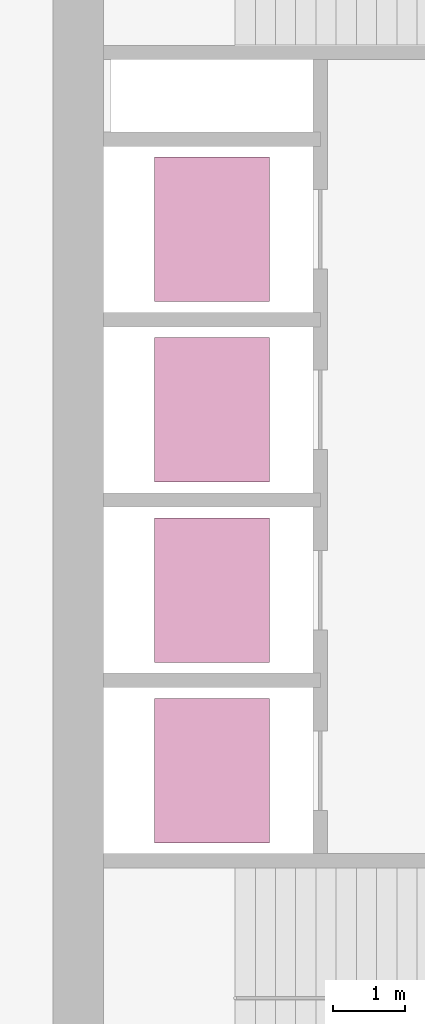
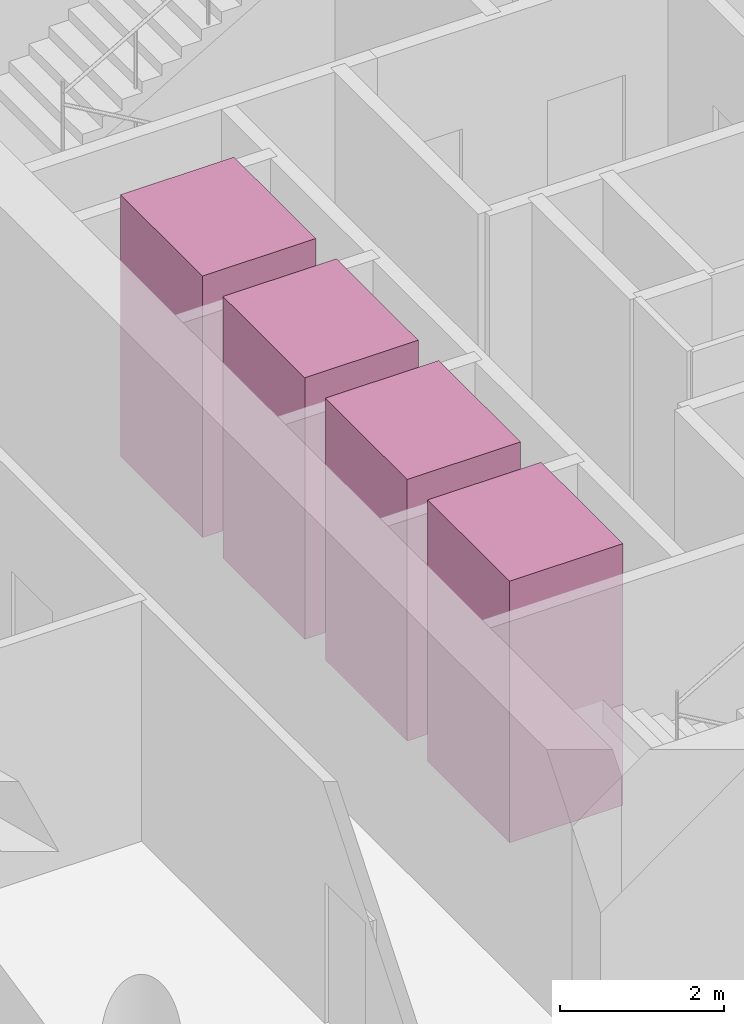
# One storey, part 9 of 9: 4 transport elements.
"""IFC4 building model written with IfcOpenShell, lengths in metres."""

import ifcopenshell
import ifcopenshell.guid

model = None  # the IFC model being written
_history = None  # IfcOwnerHistory: only IFC2X3 demands one
_inside = {}  # id of a spatial element -> (the spatial element, [elements in it])
_under = {}  # id of a project, library or spatial element -> (it, [spatial elements below it])
_declared = {}  # id of a project -> (the project, [libraries it declares])
_typed = {}  # id of a type object -> (the type object, [elements of that type])
_made_of = {}  # id of a material, layer set ... -> (it, [elements and type objects made of it])


def new_model(schema):
    """Start an empty IFC model of exactly this schema.

    Asked for "IFC4X3", IfcOpenShell would pick the latest addendum, in which some entities
    have other attributes; the version numbers below select the first issue.
    IFC2X3 requires an IfcOwnerHistory on every rooted entity: one is made here for all.
    """
    global model, _history
    if schema == "IFC4X3":
        model = ifcopenshell.file(schema_version=(4, 3, 0, 0))
    else:
        model = ifcopenshell.file(schema=schema)
    _inside.clear()
    _under.clear()
    _declared.clear()
    _typed.clear()
    _made_of.clear()
    _history = None
    if model.schema == "IFC2X3":
        org = make("IfcOrganization", Name="unknown")
        user = make(
            "IfcPersonAndOrganization",
            ThePerson=make("IfcPerson", FamilyName="unknown"),
            TheOrganization=org,
        )
        app = make(
            "IfcApplication",
            ApplicationDeveloper=org,
            Version="unknown",
            ApplicationFullName="unknown",
            ApplicationIdentifier="unknown",
        )
        _history = make(
            "IfcOwnerHistory",
            OwningUser=user,
            OwningApplication=app,
            ChangeAction="ADDED",
            CreationDate=0,
        )
    return model


def make(cls, **values):
    """One entity of the class cls with the attributes given. An attribute that is None is left unset."""
    return model.create_entity(
        cls, **{name: value for name, value in values.items() if value is not None}
    )


def rooted(cls, **values):
    """An entity with a GlobalId (a new one), such as an element, a storey or a relation."""
    return make(cls, GlobalId=ifcopenshell.guid.new(), OwnerHistory=_history, **values)


def si_unit(unit_type, name, prefix=None):
    """IfcSIUnit, for example si_unit("LENGTHUNIT", "METRE", prefix="MILLI")."""
    return make("IfcSIUnit", UnitType=unit_type, Prefix=prefix, Name=name)


def assignment(units):
    """IfcUnitAssignment: the units of a project."""
    return None if units is None else make("IfcUnitAssignment", Units=units)


def point(xyz):
    """IfcCartesianPoint."""
    return None if xyz is None else make("IfcCartesianPoint", Coordinates=xyz)


def direction(xyz):
    """IfcDirection."""
    return None if xyz is None else make("IfcDirection", DirectionRatios=xyz)


def frame(location, z_axis=None, x_axis=None):
    """IfcAxis2Placement3D, a coordinate frame: its origin and axes. An axis left out is left unset."""
    return make(
        "IfcAxis2Placement3D",
        Location=point(location),
        Axis=direction(z_axis),
        RefDirection=direction(x_axis),
    )


def frame_2d(location, x_axis=None):
    """IfcAxis2Placement2D, a coordinate frame in the plane: its origin and x axis."""
    return make(
        "IfcAxis2Placement2D", Location=point(location), RefDirection=direction(x_axis)
    )


def origin():
    """The frame at (0, 0, 0) with its axes left unset."""
    return frame((0.0, 0.0, 0.0))


def origin_2d():
    """The frame at (0, 0) in the plane with its x axis left unset."""
    return frame_2d((0.0, 0.0))


def place(relative_to, where):
    """IfcLocalPlacement: puts the frame where relative to a parent placement (None: the world)."""
    return make(
        "IfcLocalPlacement", PlacementRelTo=relative_to, RelativePlacement=where
    )


def context(
    kind, dimensions, precision=None, world=None, true_north=None, identifier=None
):
    """IfcGeometricRepresentationContext, for example the 3D "Model" context."""
    return make(
        "IfcGeometricRepresentationContext",
        ContextIdentifier=identifier,
        ContextType=kind,
        CoordinateSpaceDimension=dimensions,
        Precision=precision,
        WorldCoordinateSystem=world,
        TrueNorth=true_north,
    )


def subcontext(parent, identifier, kind, view, scale=None):
    """IfcGeometricRepresentationSubContext, for example "Body" below "Model"."""
    return make(
        "IfcGeometricRepresentationSubContext",
        ContextIdentifier=identifier,
        ContextType=kind,
        ParentContext=parent,
        TargetScale=scale,
        TargetView=view,
    )


def project(units=None, contexts=None):
    """IfcProject with its units and contexts."""
    return rooted(
        "IfcProject",
        Name="project",
        RepresentationContexts=contexts,
        UnitsInContext=assignment(units),
    )


def spatial(cls, under=None, at=None, **own):
    """A site, building, storey or space (cls), placed at a placement, below another one or the project."""
    s = rooted(cls, ObjectPlacement=at, **own)
    if under is not None:
        _under.setdefault(under.id(), (under, []))[1].append(s)
    return s


def profile(cls, at=None, kind="AREA", **sizes):
    """A parametric profile (cls). Its sizes go by their IFC names, for example OverallWidth=200.0."""
    return make(cls, ProfileType=kind, Position=at, **sizes)


def rectangle(**sizes):
    """IfcRectangleProfileDef."""
    return profile("IfcRectangleProfileDef", **sizes)


def extrude(swept, where, along, depth):
    """IfcExtrudedAreaSolid: the profile swept, set in the frame where, extruded along a direction by depth."""
    return make(
        "IfcExtrudedAreaSolid",
        SweptArea=swept,
        Position=where,
        ExtrudedDirection=direction(along),
        Depth=depth,
    )


def shape(context_of_items, identifier, shape_type, items):
    """IfcShapeRepresentation: the items that make up one representation, for example the "Body"."""
    return make(
        "IfcShapeRepresentation",
        ContextOfItems=context_of_items,
        RepresentationIdentifier=identifier,
        RepresentationType=shape_type,
        Items=items,
    )


def material(Name=None, Category=None):
    """IfcMaterial."""
    return make("IfcMaterial", Name=Name, Category=Category)


def made_of(thing, what):
    """Note that an element or type object is made of a material, layer set ...; save() writes the relation."""
    if what is not None:
        _made_of.setdefault(what.id(), (what, []))[1].append(thing)
    return thing


def type_object(cls, material=None, **own):
    """A type object (cls), such as IfcWallType, which elements share."""
    return made_of(rooted(cls, **own), material)


def element(
    cls,
    number,
    at=None,
    inside=None,
    cuts=None,
    type_object=None,
    material=None,
    context=None,
    identifier="Body",
    shape_type=None,
    held_by="IfcProductDefinitionShape",
    body=None,
    shapes=None,
    **own,
):
    """One element of the class cls, such as IfcWall. Its Tag is "e" and its number.

    at: its placement. inside: the storey or other place that contains it. cuts: it is an
    opening in that element (IfcRelVoidsElement). A single representation is given by context,
    identifier, shape_type and body (its items); several are given by shapes. held_by: the class
    of the entity that holds the representations. save() writes the other relations.
    """
    e = rooted(cls, Tag="e%d" % number, ObjectPlacement=at, **own)
    if body is not None:
        shapes = [shape(context, identifier, shape_type, body)]
    if shapes is not None:
        e.Representation = make(held_by, Representations=shapes)
    if inside is not None:
        _inside.setdefault(inside.id(), (inside, []))[1].append(e)
    if cuts is not None:
        rooted(
            "IfcRelVoidsElement", RelatingBuildingElement=cuts, RelatedOpeningElement=e
        )
    if type_object is not None:
        _typed.setdefault(type_object.id(), (type_object, []))[1].append(e)
    return made_of(e, material)


def aggregate(whole, parts):
    """IfcRelAggregates: a whole, such as a stair, and the parts it consists of."""
    return rooted("IfcRelAggregates", RelatingObject=whole, RelatedObjects=parts)


def save(model, path):
    """Write the relations noted so far, then the file.

    IfcRelAggregates (storeys below a building ...), IfcRelContainedInSpatialStructure (elements
    in a storey), IfcRelDefinesByType, IfcRelAssociatesMaterial and IfcRelDeclares: one each for
    every whole, place, type object, material and project.
    """
    for whole, parts in _under.values():
        aggregate(whole, parts)
    for where, things in _inside.values():
        rooted(
            "IfcRelContainedInSpatialStructure",
            RelatedElements=things,
            RelatingStructure=where,
        )
    for kind, things in _typed.values():
        rooted("IfcRelDefinesByType", RelatedObjects=things, RelatingType=kind)
    for what, things in _made_of.values():
        rooted("IfcRelAssociatesMaterial", RelatedObjects=things, RelatingMaterial=what)
    for by, libraries in _declared.values():
        rooted("IfcRelDeclares", RelatingContext=by, RelatedDefinitions=libraries)
    model.write(path)


model = new_model("IFC4")

# Units and contexts
model_context = context("Model", 3, precision=1e-05, world=origin(), true_north=direction((0.0, 1.0)))
body_context = subcontext(model_context, "Body", "Model", "MODEL_VIEW")
ifc_project = project(units=[si_unit("LENGTHUNIT", "METRE"), si_unit("AREAUNIT", "SQUARE_METRE"), si_unit("VOLUMEUNIT", "CUBIC_METRE"), si_unit("PLANEANGLEUNIT", "RADIAN"), si_unit("MASSUNIT", "GRAM", prefix="KILO")], contexts=[model_context])

# Site, building, storey
site_placement = place(None, origin())
site = spatial("IfcSite", under=ifc_project, at=site_placement, CompositionType="ELEMENT")
building_placement = place(site_placement, origin())
building = spatial("IfcBuilding", under=site, at=building_placement, Name="Qaws Garden Tower", CompositionType="ELEMENT")
storey_placement = place(building_placement, frame((0.0, 0.0, 139.5)))
storey = spatial("IfcBuildingStorey", under=building, at=storey_placement, Name="L33", CompositionType="ELEMENT", Elevation=139.5)

# Transport elements
ifc_material = material(Name="Stainless steel 316", Category="steel")
transport_element_type = type_object("IfcTransportElementType", Name="Passenger lift car 2000x1600 1800 kg", PredefinedType="ELEVATOR", material=ifc_material)
for number, where, z_axis, x_axis, name in (
    (1, (10.199951171875, 13.64990234375, 0.0), (0.0, 0.0, 1.0), (1.0, 0.0, 0.0), "MR1"),
    (2, (10.199951171875, 16.14990234375, 0.0), (0.0, 0.0, 1.0), (1.0, 0.0, 0.0), "MR2"),
    (3, (10.199951171875, 18.64990234375, 0.0), (0.0, 0.0, 1.0), (1.0, 0.0, 0.0), "MR3"),
    (4, (10.199951171875, 21.14990234375, 0.0), (0.0, 0.0, 1.0), (1.0, 0.0, 0.0), "MR4"),
):
    element("IfcTransportElement", number, at=place(storey_placement, frame(where, z_axis=z_axis, x_axis=x_axis)), inside=storey, type_object=transport_element_type, Name=name, PredefinedType="ELEVATOR", context=body_context, shape_type="SweptSolid", body=[
        extrude(rectangle(XDim=1.60009765625, YDim=2.0, at=origin_2d()), origin(), (0.0, 0.0, 1.0), 3.89990234375),
    ])

save(model, "model.ifc")
